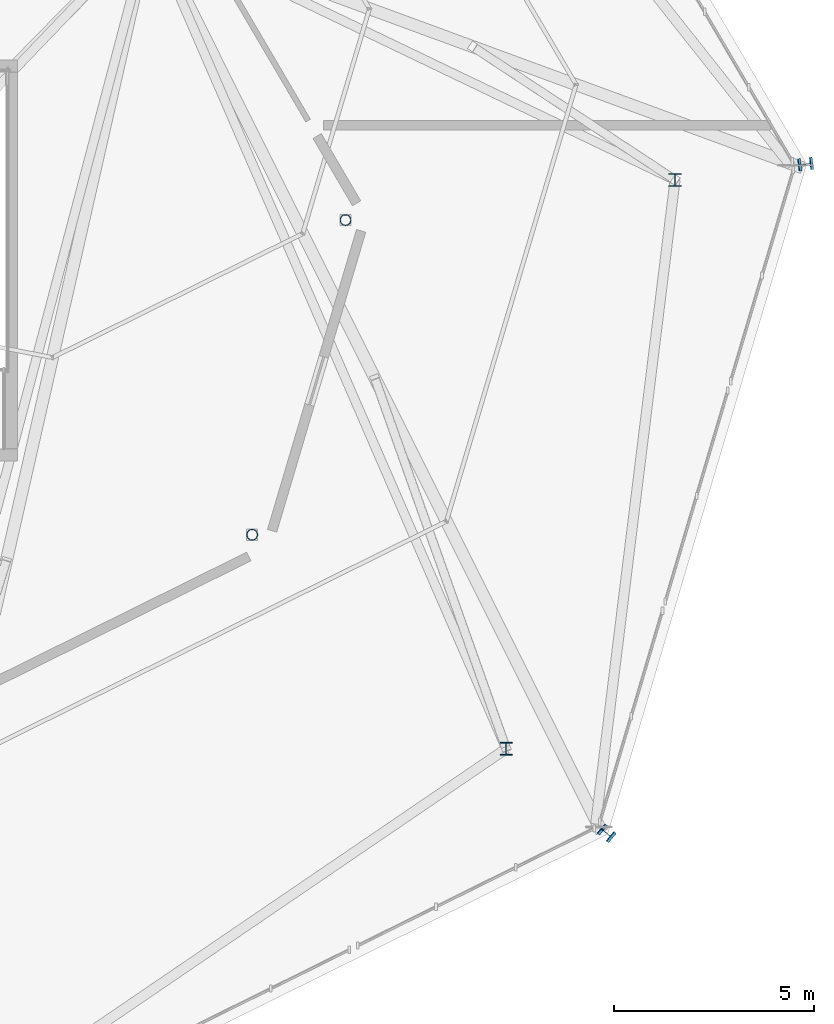
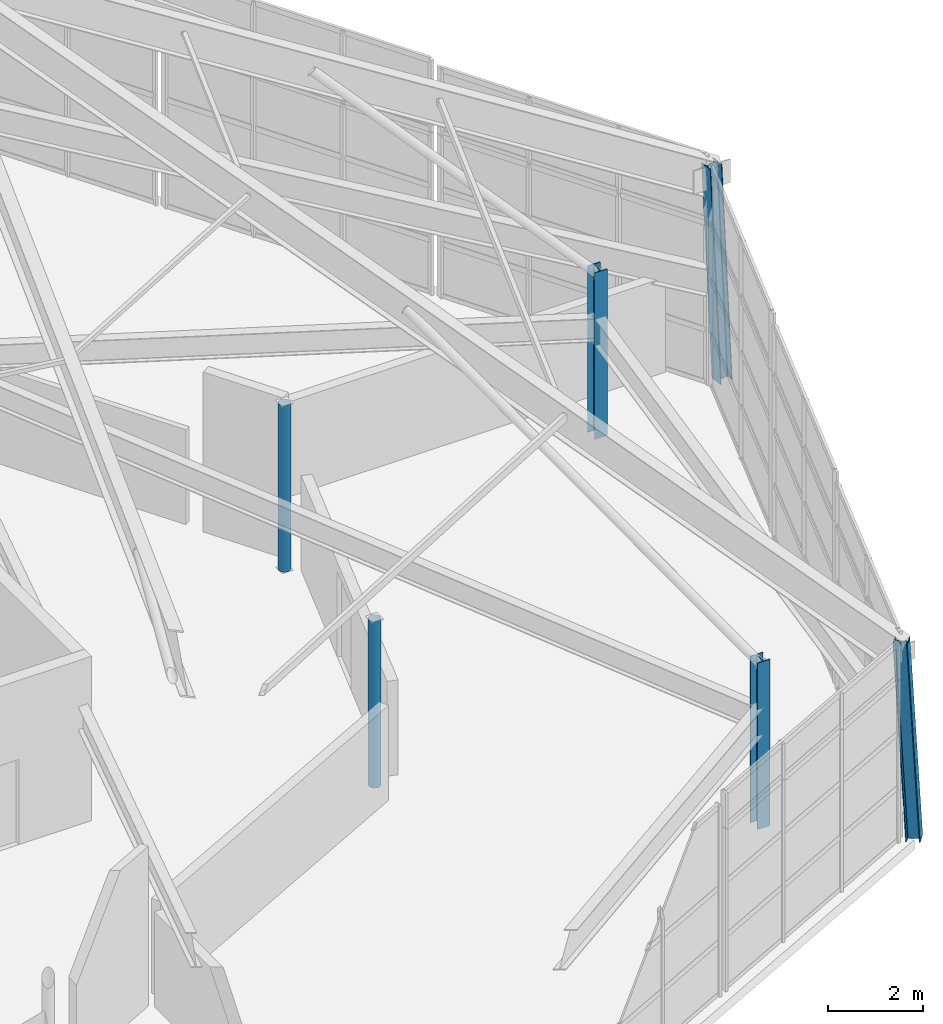
# One storey, part 7 of 50: 6 columns.
"""IFC4 building model written with IfcOpenShell, lengths in metres."""

from ifc_helpers import new_model, si_unit, direction, frame, origin, origin_2d, place, context, subcontext, project, spatial, hollow_circle, i_section, extrude, material, material_profile, profile_set, type_object, element, save


model = new_model("IFC4")

# Units and contexts
model_context = context("Model", 3, precision=1e-05, world=origin(), true_north=direction((0.0, 1.0)))
body_context = subcontext(model_context, "Body", "Model", "MODEL_VIEW")
ifc_project = project(units=[si_unit("LENGTHUNIT", "METRE"), si_unit("AREAUNIT", "SQUARE_METRE"), si_unit("VOLUMEUNIT", "CUBIC_METRE"), si_unit("PLANEANGLEUNIT", "RADIAN"), si_unit("MASSUNIT", "GRAM", prefix="KILO")], contexts=[model_context])

# Site, building, storey
site_placement = place(None, origin())
site = spatial("IfcSite", under=ifc_project, at=site_placement, CompositionType="ELEMENT")
building_placement = place(site_placement, origin())
building = spatial("IfcBuilding", under=site, at=building_placement, Name="Sarnbrook Museum", CompositionType="ELEMENT")
storey_placement = place(building_placement, frame((0.0, 0.0, 28.10009765625)))
storey = spatial("IfcBuildingStorey", under=building, at=storey_placement, Name="L05", CompositionType="ELEMENT", Elevation=28.10009765625)

# Columns
ifc_material_1 = material(Name="Structural Steel Hollow Section Grade C350L0 (AS/NZS 1163, fy = 350 MPa)", Category="steel")
ifc_material_profile_1 = material_profile(ifc_material_1, hollow_circle(Radius=0.136474609375, WallThickness=0.00927734375, at=origin_2d()), Name="273.1x9.3CHS")
ifc_profile_set_1 = profile_set([ifc_material_profile_1], Name="Structural Steel Hollow Section Grade C350L0 (AS/NZS 1163, fy = 350 MPa)")
column_type_1 = type_object("IfcColumnType", Name="COL-CHS273", PredefinedType="COLUMN", material=ifc_profile_set_1)
for number, where, z_axis, x_axis, name in (
    (1, (152.05029296875, 78.356201171875, 0.0), (0.0, 0.0, 1.0), (1.0, 0.0, 0.0), "Crystal Gallery Feature Column R2-3 L05"),
    (2, (154.382080078125, 86.210205078125, 0.0), (0.0, 0.0, 1.0), (1.0, 0.0, 0.0), "Crystal Gallery Feature Column R2-4 L05"),
):
    element("IfcColumn", number, at=place(storey_placement, frame(where, z_axis=z_axis, x_axis=x_axis)), inside=storey, type_object=column_type_1, Name=name, PredefinedType="COLUMN", context=body_context, shape_type="SweptSolid", body=[
        extrude(hollow_circle(Radius=0.136474609375, WallThickness=0.00927734375, at=origin_2d()), origin(), (0.0, 0.0, 1.0), 4.2998046875),
    ])
ifc_material_2 = material(Name="Structural Steel Grade 300PLUS (AS/NZS 3679.1, fy = 280 MPa for 17 < t <= 40 mm, 300 MPa for t <= 17 mm)", Category="steel")
ifc_material_profile_2 = material_profile(ifc_material_2, i_section(OverallWidth=0.306884765625, OverallDepth=0.31494140625, WebThickness=0.011962890625, FlangeThickness=0.018798828125, FilletRadius=0.0166015625, at=origin_2d()), Name="310UC118")
ifc_profile_set_2 = profile_set([ifc_material_profile_2], Name="Structural Steel Grade 300PLUS (AS/NZS 3679.1, fy = 280 MPa for 17 < t <= 40 mm, 300 MPa for t <= 17 mm)")
column_type_2 = type_object("IfcColumnType", Name="COL-UC310", PredefinedType="COLUMN", material=ifc_profile_set_2)
column_1_placement = place(storey_placement, frame((160.924072265625, 70.884521484375, 0.034912109375), z_axis=(-0.041407413172, 0.034874457034, 0.998533523914), x_axis=(-0.644190392363, -0.764865176608, 0.0)))
element("IfcColumn", 3, at=column_1_placement, inside=storey, type_object=column_type_2, Name="Raking Crystal Rib Column V3 L05", PredefinedType="COLUMN", context=body_context, shape_type="SweptSolid", body=[
    extrude(i_section(OverallWidth=0.306884765625, OverallDepth=0.31494140625, WebThickness=0.011962890625, FlangeThickness=0.018798828125, FilletRadius=0.0166015625, at=origin_2d()), origin(), (0.0, 0.0, 1.0), 5.08251953125),
])
column_2_placement = place(storey_placement, frame((158.392822265625, 73.015869140625, 0.0), z_axis=(0.0, 0.0, 1.0), x_axis=(1.0, 0.0, 0.0)))
element("IfcColumn", 4, at=column_2_placement, inside=storey, type_object=column_type_2, Name="Crystal Hall Ring Column R1-3 L05", PredefinedType="COLUMN", context=body_context, shape_type="SweptSolid", body=[
    extrude(i_section(OverallWidth=0.306884765625, OverallDepth=0.31494140625, WebThickness=0.011962890625, FlangeThickness=0.018798828125, FilletRadius=0.0166015625, at=origin_2d()), origin(), (0.0, 0.0, 1.0), 4.2998046875),
])
column_3_placement = place(storey_placement, frame((165.889404296875, 87.609619140625, 0.034912109375), z_axis=(-0.04804001111, -0.005843865394, 0.998828316864), x_axis=(0.120755624361, -0.99268226497, 0.0)))
element("IfcColumn", 5, at=column_3_placement, inside=storey, type_object=column_type_2, Name="Raking Crystal Rib Column V4 L05", PredefinedType="COLUMN", context=body_context, shape_type="SweptSolid", body=[
    extrude(i_section(OverallWidth=0.306884765625, OverallDepth=0.31494140625, WebThickness=0.011962890625, FlangeThickness=0.018798828125, FilletRadius=0.0166015625, at=origin_2d()), origin(), (0.0, 0.0, 1.0), 5.681640625),
])
column_4_placement = place(storey_placement, frame((162.606689453125, 87.21044921875, 0.0), z_axis=(0.0, 0.0, 1.0), x_axis=(1.0, 0.0, 0.0)))
element("IfcColumn", 6, at=column_4_placement, inside=storey, type_object=column_type_2, Name="Crystal Hall Ring Column R1-4 L05", PredefinedType="COLUMN", context=body_context, shape_type="SweptSolid", body=[
    extrude(i_section(OverallWidth=0.306884765625, OverallDepth=0.31494140625, WebThickness=0.011962890625, FlangeThickness=0.018798828125, FilletRadius=0.0166015625, at=origin_2d()), origin(), (0.0, 0.0, 1.0), 4.2998046875),
])

save(model, "model.ifc")
